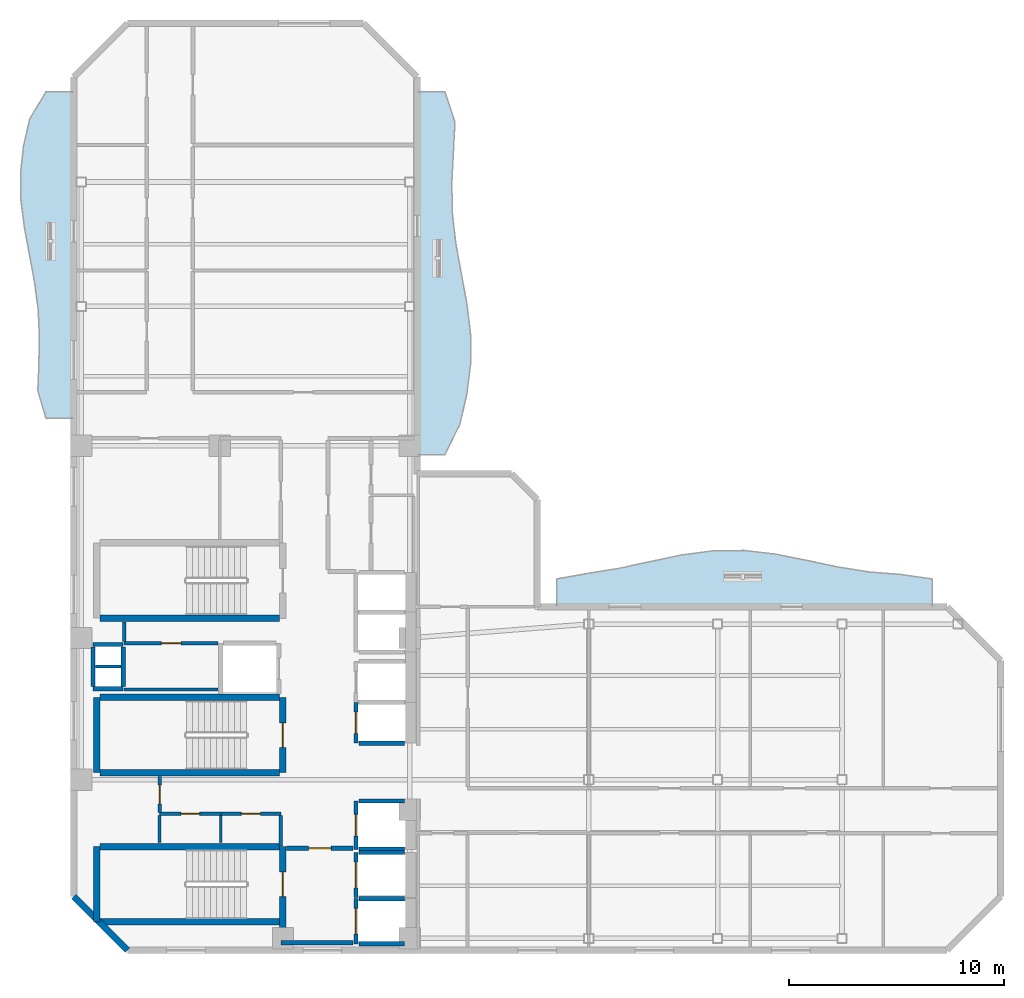
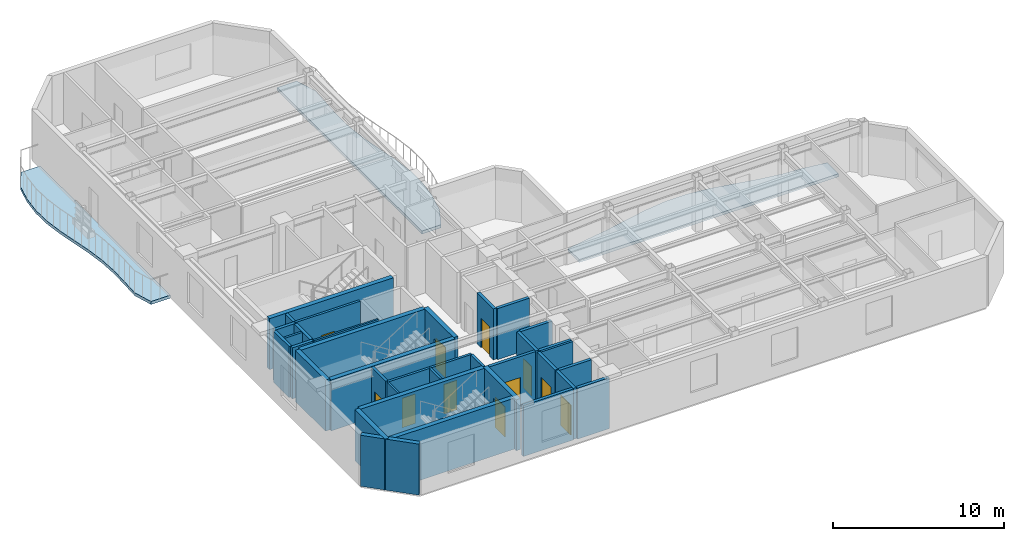
# One storey, part 2 of 9: 36 walls, 11 doors, 3 slabs, 11 openings.
"""IFC4 building model written with IfcOpenShell, lengths in metres."""

import ifcopenshell
import ifcopenshell.guid

model = None  # the IFC model being written
_history = None  # IfcOwnerHistory: only IFC2X3 demands one
_inside = {}  # id of a spatial element -> (the spatial element, [elements in it])
_under = {}  # id of a project, library or spatial element -> (it, [spatial elements below it])
_declared = {}  # id of a project -> (the project, [libraries it declares])
_typed = {}  # id of a type object -> (the type object, [elements of that type])
_made_of = {}  # id of a material, layer set ... -> (it, [elements and type objects made of it])


def new_model(schema):
    """Start an empty IFC model of exactly this schema.

    Asked for "IFC4X3", IfcOpenShell would pick the latest addendum, in which some entities
    have other attributes; the version numbers below select the first issue.
    IFC2X3 requires an IfcOwnerHistory on every rooted entity: one is made here for all.
    """
    global model, _history
    if schema == "IFC4X3":
        model = ifcopenshell.file(schema_version=(4, 3, 0, 0))
    else:
        model = ifcopenshell.file(schema=schema)
    _inside.clear()
    _under.clear()
    _declared.clear()
    _typed.clear()
    _made_of.clear()
    _history = None
    if model.schema == "IFC2X3":
        org = make("IfcOrganization", Name="unknown")
        user = make(
            "IfcPersonAndOrganization",
            ThePerson=make("IfcPerson", FamilyName="unknown"),
            TheOrganization=org,
        )
        app = make(
            "IfcApplication",
            ApplicationDeveloper=org,
            Version="unknown",
            ApplicationFullName="unknown",
            ApplicationIdentifier="unknown",
        )
        _history = make(
            "IfcOwnerHistory",
            OwningUser=user,
            OwningApplication=app,
            ChangeAction="ADDED",
            CreationDate=0,
        )
    return model


def make(cls, **values):
    """One entity of the class cls with the attributes given. An attribute that is None is left unset."""
    return model.create_entity(
        cls, **{name: value for name, value in values.items() if value is not None}
    )


def rooted(cls, **values):
    """An entity with a GlobalId (a new one), such as an element, a storey or a relation."""
    return make(cls, GlobalId=ifcopenshell.guid.new(), OwnerHistory=_history, **values)


def si_unit(unit_type, name, prefix=None):
    """IfcSIUnit, for example si_unit("LENGTHUNIT", "METRE", prefix="MILLI")."""
    return make("IfcSIUnit", UnitType=unit_type, Prefix=prefix, Name=name)


def assignment(units):
    """IfcUnitAssignment: the units of a project."""
    return None if units is None else make("IfcUnitAssignment", Units=units)


def point(xyz):
    """IfcCartesianPoint."""
    return None if xyz is None else make("IfcCartesianPoint", Coordinates=xyz)


def direction(xyz):
    """IfcDirection."""
    return None if xyz is None else make("IfcDirection", DirectionRatios=xyz)


def frame(location, z_axis=None, x_axis=None):
    """IfcAxis2Placement3D, a coordinate frame: its origin and axes. An axis left out is left unset."""
    return make(
        "IfcAxis2Placement3D",
        Location=point(location),
        Axis=direction(z_axis),
        RefDirection=direction(x_axis),
    )


def frame_2d(location, x_axis=None):
    """IfcAxis2Placement2D, a coordinate frame in the plane: its origin and x axis."""
    return make(
        "IfcAxis2Placement2D", Location=point(location), RefDirection=direction(x_axis)
    )


def origin():
    """The frame at (0, 0, 0) with its axes left unset."""
    return frame((0.0, 0.0, 0.0))


def place(relative_to, where):
    """IfcLocalPlacement: puts the frame where relative to a parent placement (None: the world)."""
    return make(
        "IfcLocalPlacement", PlacementRelTo=relative_to, RelativePlacement=where
    )


def context(
    kind, dimensions, precision=None, world=None, true_north=None, identifier=None
):
    """IfcGeometricRepresentationContext, for example the 3D "Model" context."""
    return make(
        "IfcGeometricRepresentationContext",
        ContextIdentifier=identifier,
        ContextType=kind,
        CoordinateSpaceDimension=dimensions,
        Precision=precision,
        WorldCoordinateSystem=world,
        TrueNorth=true_north,
    )


def subcontext(parent, identifier, kind, view, scale=None):
    """IfcGeometricRepresentationSubContext, for example "Body" below "Model"."""
    return make(
        "IfcGeometricRepresentationSubContext",
        ContextIdentifier=identifier,
        ContextType=kind,
        ParentContext=parent,
        TargetScale=scale,
        TargetView=view,
    )


def project(units=None, contexts=None):
    """IfcProject with its units and contexts."""
    return rooted(
        "IfcProject",
        Name="project",
        RepresentationContexts=contexts,
        UnitsInContext=assignment(units),
    )


def spatial(cls, under=None, at=None, **own):
    """A site, building, storey or space (cls), placed at a placement, below another one or the project."""
    s = rooted(cls, ObjectPlacement=at, **own)
    if under is not None:
        _under.setdefault(under.id(), (under, []))[1].append(s)
    return s


def polyline(points):
    """IfcPolyline through the points."""
    return make("IfcPolyline", Points=[point(p) for p in points])


def profile(cls, at=None, kind="AREA", **sizes):
    """A parametric profile (cls). Its sizes go by their IFC names, for example OverallWidth=200.0."""
    return make(cls, ProfileType=kind, Position=at, **sizes)


def rectangle(**sizes):
    """IfcRectangleProfileDef."""
    return profile("IfcRectangleProfileDef", **sizes)


def outline(outer, holes=None, kind="AREA"):
    """IfcArbitraryClosedProfileDef: a profile drawn as a closed curve; with holes, ...WithVoids."""
    if holes is None:
        return make("IfcArbitraryClosedProfileDef", ProfileType=kind, OuterCurve=outer)
    return make(
        "IfcArbitraryProfileDefWithVoids",
        ProfileType=kind,
        OuterCurve=outer,
        InnerCurves=holes,
    )


def extrude(swept, where, along, depth):
    """IfcExtrudedAreaSolid: the profile swept, set in the frame where, extruded along a direction by depth."""
    return make(
        "IfcExtrudedAreaSolid",
        SweptArea=swept,
        Position=where,
        ExtrudedDirection=direction(along),
        Depth=depth,
    )


def shape(context_of_items, identifier, shape_type, items):
    """IfcShapeRepresentation: the items that make up one representation, for example the "Body"."""
    return make(
        "IfcShapeRepresentation",
        ContextOfItems=context_of_items,
        RepresentationIdentifier=identifier,
        RepresentationType=shape_type,
        Items=items,
    )


def material(Name=None, Category=None):
    """IfcMaterial."""
    return make("IfcMaterial", Name=Name, Category=Category)


def layer(
    of_material, thickness, ventilated=None, Name=None, Category=None, Priority=None
):
    """IfcMaterialLayer: one layer of a wall or slab, of a material (None: an air gap)."""
    return make(
        "IfcMaterialLayer",
        Material=of_material,
        LayerThickness=thickness,
        IsVentilated=ventilated,
        Name=Name,
        Category=Category,
        Priority=Priority,
    )


def layer_set(layers, Name=None):
    """IfcMaterialLayerSet."""
    return make("IfcMaterialLayerSet", MaterialLayers=layers, LayerSetName=Name)


def made_of(thing, what):
    """Note that an element or type object is made of a material, layer set ...; save() writes the relation."""
    if what is not None:
        _made_of.setdefault(what.id(), (what, []))[1].append(thing)
    return thing


def type_object(cls, material=None, **own):
    """A type object (cls), such as IfcWallType, which elements share."""
    return made_of(rooted(cls, **own), material)


def element(
    cls,
    number,
    at=None,
    inside=None,
    cuts=None,
    type_object=None,
    material=None,
    context=None,
    identifier="Body",
    shape_type=None,
    held_by="IfcProductDefinitionShape",
    body=None,
    shapes=None,
    **own,
):
    """One element of the class cls, such as IfcWall. Its Tag is "e" and its number.

    at: its placement. inside: the storey or other place that contains it. cuts: it is an
    opening in that element (IfcRelVoidsElement). A single representation is given by context,
    identifier, shape_type and body (its items); several are given by shapes. held_by: the class
    of the entity that holds the representations. save() writes the other relations.
    """
    e = rooted(cls, Tag="e%d" % number, ObjectPlacement=at, **own)
    if body is not None:
        shapes = [shape(context, identifier, shape_type, body)]
    if shapes is not None:
        e.Representation = make(held_by, Representations=shapes)
    if inside is not None:
        _inside.setdefault(inside.id(), (inside, []))[1].append(e)
    if cuts is not None:
        rooted(
            "IfcRelVoidsElement", RelatingBuildingElement=cuts, RelatedOpeningElement=e
        )
    if type_object is not None:
        _typed.setdefault(type_object.id(), (type_object, []))[1].append(e)
    return made_of(e, material)


def fill(opening, filler):
    """IfcRelFillsElement: the door or window that sits in an opening."""
    return rooted(
        "IfcRelFillsElement",
        RelatingOpeningElement=opening,
        RelatedBuildingElement=filler,
    )


def aggregate(whole, parts):
    """IfcRelAggregates: a whole, such as a stair, and the parts it consists of."""
    return rooted("IfcRelAggregates", RelatingObject=whole, RelatedObjects=parts)


def save(model, path):
    """Write the relations noted so far, then the file.

    IfcRelAggregates (storeys below a building ...), IfcRelContainedInSpatialStructure (elements
    in a storey), IfcRelDefinesByType, IfcRelAssociatesMaterial and IfcRelDeclares: one each for
    every whole, place, type object, material and project.
    """
    for whole, parts in _under.values():
        aggregate(whole, parts)
    for where, things in _inside.values():
        rooted(
            "IfcRelContainedInSpatialStructure",
            RelatedElements=things,
            RelatingStructure=where,
        )
    for kind, things in _typed.values():
        rooted("IfcRelDefinesByType", RelatedObjects=things, RelatingType=kind)
    for what, things in _made_of.values():
        rooted("IfcRelAssociatesMaterial", RelatedObjects=things, RelatingMaterial=what)
    for by, libraries in _declared.values():
        rooted("IfcRelDeclares", RelatingContext=by, RelatedDefinitions=libraries)
    model.write(path)


model = new_model("IFC4")

# Units and contexts
model_context = context("Model", 3, precision=1e-05, world=origin(), true_north=direction((0.0, 1.0)))
body_context = subcontext(model_context, "Body", "Model", "MODEL_VIEW")
ifc_project = project(units=[si_unit("LENGTHUNIT", "METRE"), si_unit("AREAUNIT", "SQUARE_METRE"), si_unit("VOLUMEUNIT", "CUBIC_METRE"), si_unit("PLANEANGLEUNIT", "RADIAN"), si_unit("MASSUNIT", "GRAM", prefix="KILO")], contexts=[model_context])

# Site, building, storey
site_placement = place(None, origin())
site = spatial("IfcSite", under=ifc_project, at=site_placement, CompositionType="ELEMENT")
building_placement = place(site_placement, origin())
building = spatial("IfcBuilding", under=site, at=building_placement, Name="Mawjaban Terraces University", CompositionType="ELEMENT")
storey_placement = place(building_placement, frame((0.0, 0.0, 234.300048828125)))
storey = spatial("IfcBuildingStorey", under=building, at=storey_placement, Name="L57", CompositionType="ELEMENT", Elevation=234.300048828125)

# Slabs
ifc_material_1 = material(Name="Concrete C40/50", Category="concrete")
ifc_layer_1 = layer(ifc_material_1, 0.2099609375)
ifc_layer_set_1 = layer_set([ifc_layer_1], Name="Concrete C40/50")
slab_type = type_object("IfcSlabType", Name="BalconySlab_210_Ext", PredefinedType="FLOOR", material=ifc_layer_set_1)
slab_1_placement = place(storey_placement, frame((0.0, 0.0, -0.2099609375)))
element("IfcSlab", 1, at=slab_1_placement, inside=storey, type_object=slab_type, Name="L57 Planted Balcony Slab west", PredefinedType="FLOOR", context=body_context, shape_type="SweptSolid", body=[
    extrude(outline(polyline([(22.010009765625, 24.800048828125), (22.010009765625, 40.0), (20.699951171875, 40.0), (19.945068359375, 38.73291015625), (19.654052734375, 37.467041015625), (19.51708984375, 36.199951171875), (19.5400390625, 34.93310546875), (19.698974609375, 33.6669921875), (19.93505859375, 32.39990234375), (20.1708984375, 31.133056640625), (20.3369140625, 29.866943359375), (20.39990234375, 28.60009765625), (20.37109375, 27.3330078125), (20.324951171875, 26.06689453125), (20.699951171875, 24.800048828125), (22.010009765625, 24.800048828125)])), origin(), (0.0, 0.0, 1.0), 0.2099609375),
])
slab_2_placement = place(storey_placement, frame((0.0, 0.0, -0.2099609375)))
element("IfcSlab", 2, at=slab_2_placement, inside=storey, type_object=slab_type, Name="L57 Planted Balcony Slab inner_north", PredefinedType="FLOOR", context=body_context, shape_type="SweptSolid", body=[
    extrude(outline(polyline([(44.5, 15.989990234375), (62.0, 15.989990234375), (62.0, 17.300048828125), (60.5419921875, 17.510009765625), (59.0830078125, 17.625), (57.625, 17.85595703125), (56.1669921875, 18.1650390625), (54.7080078125, 18.45703125), (53.25, 18.6279296875), (51.7919921875, 18.614013671875), (50.3330078125, 18.419921875), (48.875, 18.113037109375), (47.4169921875, 17.798095703125), (45.9580078125, 17.56103515625), (44.5, 17.300048828125), (44.5, 15.989990234375)])), origin(), (0.0, 0.0, 1.0), 0.2099609375),
])
slab_3_placement = place(storey_placement, frame((0.0, 0.0, -0.2099609375)))
element("IfcSlab", 3, at=slab_3_placement, inside=storey, type_object=slab_type, Name="L57 Planted Balcony Slab inner_east", PredefinedType="FLOOR", context=body_context, shape_type="SweptSolid", body=[
    extrude(outline(polyline([(39.300048828125, 23.10009765625), (39.990966796875, 24.508056640625), (40.31689453125, 25.9169921875), (40.493896484375, 27.324951171875), (40.488037109375, 28.73291015625), (40.31689453125, 30.14208984375), (40.054931640625, 31.550048828125), (39.800048828125, 32.9580078125), (39.64111328125, 34.366943359375), (39.614990234375, 35.77490234375), (39.68994140625, 37.18310546875), (39.762939453125, 38.592041015625), (39.300048828125, 40.0), (37.989990234375, 40.0), (37.989990234375, 23.10009765625), (39.300048828125, 23.10009765625)])), origin(), (0.0, 0.0, 1.0), 0.2099609375),
])

# Wall, opening, door
ifc_material_2 = material(Name="Fire-rated gypsum board on steel stud", Category="steel")
ifc_layer_2 = layer(ifc_material_2, 0.159912109375)
ifc_layer_set_2 = layer_set([ifc_layer_2], Name="Fire-rated gypsum board on steel stud")
wall_type_1 = type_object("IfcWallType", Name="CorridorPartition_160", PredefinedType="PARTITIONING", material=ifc_layer_set_2)
wall_1_placement = place(storey_placement, frame((24.35009765625, 14.300048828125, 0.0), z_axis=(0.0, 0.0, 1.0), x_axis=(1.0, 0.0, 0.0)))
wall_1 = element("IfcWall", 4, at=wall_1_placement, inside=storey, type_object=wall_type_1, Name="L57 Core Riser Access Passage Partition 2", PredefinedType="PARTITIONING", context=body_context, shape_type="SweptSolid", body=[
    extrude(rectangle(XDim=4.369873046875, YDim=0.159912109375, at=frame_2d((2.18505859375, 0.0))), origin(), (0.0, 0.0, 1.0), 3.639892578125),
])
opening_1_placement = place(wall_1_placement, frame((1.735107421875, 0.0, 0.0)))
opening_1 = element("IfcOpeningElement", 5, at=opening_1_placement, cuts=wall_1, Name="Opening ID-090", PredefinedType="OPENING", context=body_context, shape_type="SweptSolid", body=[
    extrude(rectangle(XDim=0.89990234375, YDim=2.10009765625, at=frame_2d((0.449951171875, 1.050048828125))), frame((0.0, 0.08984375, 0.0), z_axis=(0.0, -1.0, 0.0), x_axis=(1.0, 0.0, 0.0)), (0.0, 0.0, 1.0), 0.179931640625),
])
ifc_material_3 = material(Name="Powder-coated steel frame and solid acoustic timber leaf", Category="steel")
door_type_1 = type_object("IfcDoorType", Name="OfficeDoor_900x2100", OperationType="NOTDEFINED", PredefinedType="DOOR", material=ifc_material_3)
door_1_placement = place(opening_1_placement, origin())
door_1 = element("IfcDoor", 6, at=door_1_placement, inside=storey, type_object=door_type_1, Name="L57 Cleaner Store Door", OperationType="SINGLE_SWING_LEFT", OverallHeight=2.10009765625, OverallWidth=0.89990234375, PredefinedType="DOOR", context=body_context, shape_type="SweptSolid", body=[
    extrude(rectangle(XDim=0.89990234375, YDim=2.10009765625, at=frame_2d((0.449951171875, 1.050048828125))), frame((0.0, 0.02490234375, 0.0), z_axis=(0.0, -1.0, 0.0), x_axis=(1.0, 0.0, 0.0)), (0.0, 0.0, 1.0), 0.050048828125),
])
fill(opening_1, door_1)

wall_2_placement = place(storey_placement, frame((26.0, 6.35009765625, 0.0), z_axis=(0.0, 0.0, 1.0), x_axis=(1.0, 0.0, 0.0)))
wall_2 = element("IfcWall", 7, at=wall_2_placement, inside=storey, type_object=wall_type_1, Name="L57 Core Washroom Lobby Partition 6", PredefinedType="PARTITIONING", context=body_context, shape_type="SweptSolid", body=[
    extrude(rectangle(XDim=2.85009765625, YDim=0.159912109375, at=frame_2d((1.425048828125, 0.0))), origin(), (0.0, 0.0, 1.0), 3.639892578125),
])
opening_2_placement = place(wall_2_placement, frame((0.985107421875, 0.0, 0.0)))
opening_2 = element("IfcOpeningElement", 8, at=opening_2_placement, cuts=wall_2, Name="Opening ID-088", PredefinedType="OPENING", context=body_context, shape_type="SweptSolid", body=[
    extrude(rectangle(XDim=0.8798828125, YDim=2.10009765625, at=frame_2d((0.43994140625, 1.050048828125))), frame((0.0, 0.08984375, 0.0), z_axis=(0.0, -1.0, 0.0), x_axis=(1.0, 0.0, 0.0)), (0.0, 0.0, 1.0), 0.179931640625),
])
door_type_2 = type_object("IfcDoorType", Name="ToiletDoor_880x2100", OperationType="NOTDEFINED", PredefinedType="DOOR", material=ifc_material_3)
door_2_placement = place(opening_2_placement, origin())
door_2 = element("IfcDoor", 9, at=door_2_placement, inside=storey, type_object=door_type_2, Name="L57 Male Toilet Door", OperationType="SINGLE_SWING_LEFT", OverallHeight=2.10009765625, OverallWidth=0.8798828125, PredefinedType="DOOR", context=body_context, shape_type="SweptSolid", body=[
    extrude(rectangle(XDim=0.8798828125, YDim=2.10009765625, at=frame_2d((0.43994140625, 1.050048828125))), frame((0.0, 0.02490234375, 0.0), z_axis=(0.0, -1.0, 0.0), x_axis=(1.0, 0.0, 0.0)), (0.0, 0.0, 1.0), 0.050048828125),
])
fill(opening_2, door_2)

wall_3_placement = place(storey_placement, frame((28.85009765625, 6.35009765625, 0.0), z_axis=(0.0, 0.0, 1.0), x_axis=(1.0, 0.0, 0.0)))
wall_3 = element("IfcWall", 10, at=wall_3_placement, inside=storey, type_object=wall_type_1, Name="L57 Core Washroom Lobby Partition 8", PredefinedType="PARTITIONING", context=body_context, shape_type="SweptSolid", body=[
    extrude(rectangle(XDim=2.7998046875, YDim=0.159912109375, at=frame_2d((1.39990234375, 0.0))), origin(), (0.0, 0.0, 1.0), 3.639892578125),
])
opening_3_placement = place(wall_3_placement, frame((0.9599609375, 0.0, 0.0)))
opening_3 = element("IfcOpeningElement", 11, at=opening_3_placement, cuts=wall_3, Name="Opening ID-088", PredefinedType="OPENING", context=body_context, shape_type="SweptSolid", body=[
    extrude(rectangle(XDim=0.8798828125, YDim=2.10009765625, at=frame_2d((0.43994140625, 1.050048828125))), frame((0.0, 0.08984375, 0.0), z_axis=(0.0, -1.0, 0.0), x_axis=(1.0, 0.0, 0.0)), (0.0, 0.0, 1.0), 0.179931640625),
])
door_3_placement = place(opening_3_placement, origin())
door_3 = element("IfcDoor", 12, at=door_3_placement, inside=storey, type_object=door_type_2, Name="L57 Accessible Toilet Door", OperationType="SINGLE_SWING_RIGHT", OverallHeight=2.10009765625, OverallWidth=0.8798828125, PredefinedType="DOOR", context=body_context, shape_type="SweptSolid", body=[
    extrude(rectangle(XDim=0.8798828125, YDim=2.10009765625, at=frame_2d((0.43994140625, 1.050048828125))), frame((0.0, 0.02490234375, 0.0), z_axis=(0.0, -1.0, 0.0), x_axis=(1.0, 0.0, 0.0)), (0.0, 0.0, 1.0), 0.050048828125),
])
fill(opening_3, door_3)

# Wall
wall_4_placement = place(storey_placement, frame((24.35009765625, 15.2900390625, 0.0), z_axis=(0.0, 0.0, 1.0), x_axis=(0.0, -1.0, 0.0)))
element("IfcWall", 13, at=wall_4_placement, inside=storey, type_object=wall_type_1, Name="L57 Core Riser Access Passage Partition 30", PredefinedType="PARTITIONING", context=body_context, shape_type="SweptSolid", body=[
    extrude(rectangle(XDim=0.9150390625, YDim=0.159912109375, at=frame_2d((0.45751953125, 0.0))), origin(), (0.0, 0.0, 1.0), 3.639892578125),
])

# Wall, opening, door
wall_5_placement = place(storey_placement, frame((26.0, 8.090087890625, 0.0), z_axis=(0.0, 0.0, 1.0), x_axis=(0.0, -1.0, 0.0)))
wall_5 = element("IfcWall", 14, at=wall_5_placement, inside=storey, type_object=wall_type_1, Name="L57 Core Washroom Lobby Partition 35", PredefinedType="PARTITIONING", context=body_context, shape_type="SweptSolid", body=[
    extrude(rectangle(XDim=1.6650390625, YDim=0.159912109375, at=frame_2d((0.83251953125, 0.0))), origin(), (0.0, 0.0, 1.0), 3.639892578125),
])
opening_4_placement = place(wall_5_placement, frame((0.39306640625, 0.0, 0.0)))
opening_4 = element("IfcOpeningElement", 15, at=opening_4_placement, cuts=wall_5, Name="Opening ID-088", PredefinedType="OPENING", context=body_context, shape_type="SweptSolid", body=[
    extrude(rectangle(XDim=0.8798828125, YDim=2.10009765625, at=frame_2d((0.43994140625, 1.050048828125))), frame((0.0, 0.08984375, 0.0), z_axis=(0.0, -1.0, 0.0), x_axis=(1.0, 0.0, 0.0)), (0.0, 0.0, 1.0), 0.179931640625),
])
door_4_placement = place(opening_4_placement, origin())
door_4 = element("IfcDoor", 16, at=door_4_placement, inside=storey, type_object=door_type_2, Name="L57 Ablution Room Door", OperationType="SINGLE_SWING_RIGHT", OverallHeight=2.10009765625, OverallWidth=0.8798828125, PredefinedType="DOOR", context=body_context, shape_type="SweptSolid", body=[
    extrude(rectangle(XDim=0.8798828125, YDim=2.10009765625, at=frame_2d((0.43994140625, 1.050048828125))), frame((0.0, 0.02490234375, 0.0), z_axis=(0.0, -1.0, 0.0), x_axis=(1.0, 0.0, 0.0)), (0.0, 0.0, 1.0), 0.050048828125),
])
fill(opening_4, door_4)

# Walls
wall_6_placement = place(storey_placement, frame((31.64990234375, 4.860107421875, 0.0), z_axis=(0.0, 0.0, 1.0), x_axis=(0.0, 1.0, 0.0)))
element("IfcWall", 17, at=wall_6_placement, inside=storey, type_object=wall_type_1, Name="L57 Accessible Toilet Partition 41", PredefinedType="PARTITIONING", context=body_context, shape_type="SweptSolid", body=[
    extrude(rectangle(XDim=1.414794921875, YDim=0.159912109375, at=frame_2d((0.70751953125, 0.0))), origin(), (0.0, 0.0, 1.0), 3.639892578125),
])
ifc_material_4 = material(Name="Insulated terracotta rainscreen on concrete backup C40/50", Category="masonry")
ifc_layer_3 = layer(ifc_material_4, 0.300048828125)
ifc_layer_set_3 = layer_set([ifc_layer_3], Name="Insulated terracotta rainscreen on concrete backup C40/50")
wall_type_2 = type_object("IfcWallType", Name="ExtTerracottaWall_300", PredefinedType="SOLIDWALL", material=ifc_layer_set_3)
wall_7_placement = place(storey_placement, frame((22.0, 2.5, 0.0), z_axis=(0.0, 0.0, 1.0), x_axis=(0.707106781187, -0.707106781187, 0.0)))
element("IfcWall", 18, at=wall_7_placement, inside=storey, type_object=wall_type_2, Name="L57 Exterior Terracotta Wall 14", PredefinedType="SOLIDWALL", context=body_context, shape_type="SweptSolid", body=[
    extrude(rectangle(XDim=3.53564453125, YDim=0.300048828125, at=frame_2d((1.767822265625, 0.0))), origin(), (0.0, 0.0, 1.0), 3.639892578125),
])

# Wall, opening, door
ifc_layer_4 = layer(ifc_material_1, 0.199951171875)
ifc_layer_set_4 = layer_set([ifc_layer_4], Name="Concrete C40/50")
wall_type_3 = type_object("IfcWallType", Name="FireLobbyWall_200", PredefinedType="SOLIDWALL", material=ifc_layer_set_4)
wall_8_placement = place(storey_placement, frame((35.14990234375, 2.39990234375, 0.0), z_axis=(0.0, 0.0, 1.0), x_axis=(0.0, -1.0, 0.0)))
wall_8 = element("IfcWall", 19, at=wall_8_placement, inside=storey, type_object=wall_type_3, Name="L57 Lift FL-1 Hoistway Wall West", PredefinedType="SOLIDWALL", context=body_context, shape_type="SweptSolid", body=[
    extrude(rectangle(XDim=2.099853515625, YDim=0.199951171875, at=frame_2d((1.0498046875, 0.0))), origin(), (0.0, 0.0, 1.0), 3.639892578125),
])
opening_5_placement = place(wall_8_placement, frame((0.449951171875, 0.0, 0.0)))
opening_5 = element("IfcOpeningElement", 20, at=opening_5_placement, cuts=wall_8, Name="Opening LD-FL-1", PredefinedType="OPENING", context=body_context, shape_type="SweptSolid", body=[
    extrude(rectangle(XDim=1.199951171875, YDim=2.14990234375, at=frame_2d((0.60009765625, 1.074951171875))), frame((0.0, 0.10986328125, 0.0), z_axis=(0.0, -1.0, 0.0), x_axis=(1.0, 0.0, 0.0)), (0.0, 0.0, 1.0), 0.219970703125),
])
ifc_material_5 = material(Name="Powder-coated steel frame and fire-rated steel-faced leaf", Category="steel")
door_type_3 = type_object("IfcDoorType", Name="LiftLandingFSAE_1200x2150", OperationType="NOTDEFINED", PredefinedType="DOOR", material=ifc_material_5)
door_5_placement = place(opening_5_placement, origin())
door_5 = element("IfcDoor", 21, at=door_5_placement, inside=storey, type_object=door_type_3, Name="L57 Lift FL-1 Sliding Landing Door", OperationType="DOUBLE_DOOR_SLIDING", OverallHeight=2.14990234375, OverallWidth=1.199951171875, PredefinedType="DOOR", context=body_context, shape_type="SweptSolid", body=[
    extrude(rectangle(XDim=1.199951171875, YDim=2.14990234375, at=frame_2d((0.60009765625, 1.074951171875))), frame((0.0, 0.02490234375, 0.0), z_axis=(0.0, -1.0, 0.0), x_axis=(1.0, 0.0, 0.0)), (0.0, 0.0, 1.0), 0.050048828125),
])
fill(opening_5, door_5)

# Walls
for number, where, z_axis, x_axis, name in (
    (22, (35.280029296875, 0.300048828125, 0.0), (0.0, 0.0, 1.0), (1.0, 0.0, 0.0), "L57 Lift FL-1 Hoistway Wall South"),
    (23, (37.419921875, 2.39990234375, 0.0), (0.0, 0.0, 1.0), (-1.0, 0.0, 0.0), "L57 Lift FL-1 Hoistway Wall North"),
):
    element("IfcWall", number, at=place(storey_placement, frame(where, z_axis=z_axis, x_axis=x_axis)), inside=storey, type_object=wall_type_3, Name=name, PredefinedType="SOLIDWALL", context=body_context, shape_type="SweptSolid", body=[
        extrude(rectangle(XDim=2.139892578125, YDim=0.199951171875, at=frame_2d((1.06982421875, 0.0))), origin(), (0.0, 0.0, 1.0), 3.639892578125),
    ])

# Wall, opening, door
wall_9_placement = place(storey_placement, frame((35.14990234375, 4.550048828125, 0.0), z_axis=(0.0, 0.0, 1.0), x_axis=(0.0, -1.0, 0.0)))
wall_9 = element("IfcWall", 24, at=wall_9_placement, inside=storey, type_object=wall_type_3, Name="L57 Lift FL-2 Hoistway Wall West", PredefinedType="SOLIDWALL", context=body_context, shape_type="SweptSolid", body=[
    extrude(rectangle(XDim=2.10009765625, YDim=0.199951171875, at=frame_2d((1.050048828125, 0.0))), origin(), (0.0, 0.0, 1.0), 3.639892578125),
])
opening_6_placement = place(wall_9_placement, frame((0.449951171875, 0.0, 0.0)))
opening_6 = element("IfcOpeningElement", 25, at=opening_6_placement, cuts=wall_9, Name="Opening LD-FL-2", PredefinedType="OPENING", context=body_context, shape_type="SweptSolid", body=[
    extrude(rectangle(XDim=1.199951171875, YDim=2.14990234375, at=frame_2d((0.60009765625, 1.074951171875))), frame((0.0, 0.10986328125, 0.0), z_axis=(0.0, -1.0, 0.0), x_axis=(1.0, 0.0, 0.0)), (0.0, 0.0, 1.0), 0.219970703125),
])
door_6_placement = place(opening_6_placement, origin())
door_6 = element("IfcDoor", 26, at=door_6_placement, inside=storey, type_object=door_type_3, Name="L57 Lift FL-2 Sliding Landing Door", OperationType="DOUBLE_DOOR_SLIDING", OverallHeight=2.14990234375, OverallWidth=1.199951171875, PredefinedType="DOOR", context=body_context, shape_type="SweptSolid", body=[
    extrude(rectangle(XDim=1.199951171875, YDim=2.14990234375, at=frame_2d((0.60009765625, 1.074951171875))), frame((0.0, 0.02490234375, 0.0), z_axis=(0.0, -1.0, 0.0), x_axis=(1.0, 0.0, 0.0)), (0.0, 0.0, 1.0), 0.050048828125),
])
fill(opening_6, door_6)

# Wall
wall_10_placement = place(storey_placement, frame((37.419921875, 4.550048828125, 0.0), z_axis=(0.0, 0.0, 1.0), x_axis=(-1.0, 0.0, 0.0)))
element("IfcWall", 27, at=wall_10_placement, inside=storey, type_object=wall_type_3, Name="L57 Lift FL-2 Hoistway Wall North", PredefinedType="SOLIDWALL", context=body_context, shape_type="SweptSolid", body=[
    extrude(rectangle(XDim=2.139892578125, YDim=0.199951171875, at=frame_2d((1.06982421875, 0.0))), origin(), (0.0, 0.0, 1.0), 3.639892578125),
])

# Wall, opening, door
wall_11_placement = place(storey_placement, frame((35.14990234375, 6.949951171875, 0.0), z_axis=(0.0, 0.0, 1.0), x_axis=(0.0, -1.0, 0.0)))
wall_11 = element("IfcWall", 28, at=wall_11_placement, inside=storey, type_object=wall_type_3, Name="L57 Lift SL-1 Hoistway Wall West", PredefinedType="SOLIDWALL", context=body_context, shape_type="SweptSolid", body=[
    extrude(rectangle(XDim=2.25, YDim=0.199951171875, at=frame_2d((1.125, 0.0))), origin(), (0.0, 0.0, 1.0), 3.639892578125),
])
opening_7_placement = place(wall_11_placement, frame((0.625, 0.0, 0.0)))
opening_7 = element("IfcOpeningElement", 29, at=opening_7_placement, cuts=wall_11, Name="Opening LD-SL-1", PredefinedType="OPENING", context=body_context, shape_type="SweptSolid", body=[
    extrude(rectangle(XDim=1.0, YDim=2.10009765625, at=frame_2d((0.5, 1.050048828125))), frame((0.0, 0.10986328125, 0.0), z_axis=(0.0, -1.0, 0.0), x_axis=(1.0, 0.0, 0.0)), (0.0, 0.0, 1.0), 0.219970703125),
])
door_type_4 = type_object("IfcDoorType", Name="LiftLandingSliding_1000x2100", OperationType="NOTDEFINED", PredefinedType="DOOR", material=ifc_material_5)
door_7_placement = place(opening_7_placement, origin())
door_7 = element("IfcDoor", 30, at=door_7_placement, inside=storey, type_object=door_type_4, Name="L57 Lift SL-1 Sliding Landing Door", OperationType="DOUBLE_DOOR_SLIDING", OverallHeight=2.10009765625, OverallWidth=1.0, PredefinedType="DOOR", context=body_context, shape_type="SweptSolid", body=[
    extrude(rectangle(XDim=1.0, YDim=2.10009765625, at=frame_2d((0.5, 1.050048828125))), frame((0.0, 0.02490234375, 0.0), z_axis=(0.0, -1.0, 0.0), x_axis=(1.0, 0.0, 0.0)), (0.0, 0.0, 1.0), 0.050048828125),
])
fill(opening_7, door_7)

# Walls
for number, where, z_axis, x_axis, name in (
    (31, (35.280029296875, 4.699951171875, 0.0), (0.0, 0.0, 1.0), (1.0, 0.0, 0.0), "L57 Lift SL-1 Hoistway Wall South"),
    (32, (37.419921875, 6.949951171875, 0.0), (0.0, 0.0, 1.0), (-1.0, 0.0, 0.0), "L57 Lift SL-1 Hoistway Wall North"),
):
    element("IfcWall", number, at=place(storey_placement, frame(where, z_axis=z_axis, x_axis=x_axis)), inside=storey, type_object=wall_type_3, Name=name, PredefinedType="SOLIDWALL", context=body_context, shape_type="SweptSolid", body=[
        extrude(rectangle(XDim=2.139892578125, YDim=0.199951171875, at=frame_2d((1.06982421875, 0.0))), origin(), (0.0, 0.0, 1.0), 3.639892578125),
    ])

# Wall, opening, door
wall_12_placement = place(storey_placement, frame((35.14990234375, 11.550048828125, 0.0), z_axis=(0.0, 0.0, 1.0), x_axis=(0.0, -1.0, 0.0)))
wall_12 = element("IfcWall", 33, at=wall_12_placement, inside=storey, type_object=wall_type_3, Name="L57 Lift PL-H1 Hoistway Wall West", PredefinedType="SOLIDWALL", context=body_context, shape_type="SweptSolid", body=[
    extrude(rectangle(XDim=1.900146484375, YDim=0.199951171875, at=frame_2d((0.9501953125, 0.0))), origin(), (0.0, 0.0, 1.0), 3.639892578125),
])
opening_8_placement = place(wall_12_placement, frame((0.449951171875, 0.0, 0.0)))
opening_8 = element("IfcOpeningElement", 34, at=opening_8_placement, cuts=wall_12, Name="Opening LD-PL-H1", PredefinedType="OPENING", context=body_context, shape_type="SweptSolid", body=[
    extrude(rectangle(XDim=1.0, YDim=2.10009765625, at=frame_2d((0.5, 1.050048828125))), frame((0.0, 0.10986328125, 0.0), z_axis=(0.0, -1.0, 0.0), x_axis=(1.0, 0.0, 0.0)), (0.0, 0.0, 1.0), 0.219970703125),
])
door_8_placement = place(opening_8_placement, origin())
door_8 = element("IfcDoor", 35, at=door_8_placement, inside=storey, type_object=door_type_4, Name="L57 Lift PL-H1 Sliding Landing Door", OperationType="DOUBLE_DOOR_SLIDING", OverallHeight=2.10009765625, OverallWidth=1.0, PredefinedType="DOOR", context=body_context, shape_type="SweptSolid", body=[
    extrude(rectangle(XDim=1.0, YDim=2.10009765625, at=frame_2d((0.5, 1.050048828125))), frame((0.0, 0.02490234375, 0.0), z_axis=(0.0, -1.0, 0.0), x_axis=(1.0, 0.0, 0.0)), (0.0, 0.0, 1.0), 0.050048828125),
])
fill(opening_8, door_8)

# Walls
wall_13_placement = place(storey_placement, frame((35.280029296875, 9.64990234375, 0.0), z_axis=(0.0, 0.0, 1.0), x_axis=(1.0, 0.0, 0.0)))
element("IfcWall", 36, at=wall_13_placement, inside=storey, type_object=wall_type_3, Name="L57 Lift PL-H1 Hoistway Wall South", PredefinedType="SOLIDWALL", context=body_context, shape_type="SweptSolid", body=[
    extrude(rectangle(XDim=2.139892578125, YDim=0.199951171875, at=frame_2d((1.06982421875, 0.0))), origin(), (0.0, 0.0, 1.0), 3.639892578125),
])
for number, where, z_axis, x_axis, name in (
    (37, (22.89990234375, 14.25, 0.0), (0.0, 0.0, 1.0), (1.0, 0.0, 0.0), "L57 MEP Riser Shaft Wall N"),
    (38, (22.89990234375, 12.179931640625, 0.0), (0.0, 0.0, 1.0), (1.0, 0.0, 0.0), "L57 MEP Riser Shaft Wall S"),
):
    element("IfcWall", number, at=place(storey_placement, frame(where, z_axis=z_axis, x_axis=x_axis)), inside=storey, type_object=wall_type_3, Name=name, PredefinedType="SOLIDWALL", context=body_context, shape_type="SweptSolid", body=[
        extrude(rectangle(XDim=1.400146484375, YDim=0.199951171875, at=frame_2d((0.7001953125, 0.0))), origin(), (0.0, 0.0, 1.0), 3.639892578125),
    ])
for number, where, z_axis, x_axis, name in (
    (39, (24.300048828125, 12.300048828125, 0.0), (0.0, 0.0, 1.0), (0.0, 1.0, 0.0), "L57 MEP Riser Shaft Wall E"),
    (40, (22.89990234375, 12.300048828125, 0.0), (0.0, 0.0, 1.0), (0.0, 1.0, 0.0), "L57 MEP Riser Shaft Wall W"),
):
    element("IfcWall", number, at=place(storey_placement, frame(where, z_axis=z_axis, x_axis=x_axis)), inside=storey, type_object=wall_type_3, Name=name, PredefinedType="SOLIDWALL", context=body_context, shape_type="SweptSolid", body=[
        extrude(rectangle(XDim=1.829833984375, YDim=0.199951171875, at=frame_2d((0.9150390625, 0.0))), origin(), (0.0, 0.0, 1.0), 3.639892578125),
    ])
wall_14_placement = place(storey_placement, frame((31.64990234375, 0.35009765625, 0.0), z_axis=(0.0, 0.0, 1.0), x_axis=(1.0, 0.0, 0.0)))
element("IfcWall", 41, at=wall_14_placement, inside=storey, type_object=wall_type_3, Name="L57 Firefighting Lift Lobby Partition 9", PredefinedType="SOLIDWALL", context=body_context, shape_type="SweptSolid", body=[
    extrude(rectangle(XDim=3.3701171875, YDim=0.199951171875, at=frame_2d((1.68505859375, 0.0))), origin(), (0.0, 0.0, 1.0), 3.639892578125),
])

# Wall, opening, door
wall_15_placement = place(storey_placement, frame((35.02001953125, 4.75, 0.0), z_axis=(0.0, 0.0, 1.0), x_axis=(-1.0, 0.0, 0.0)))
wall_15 = element("IfcWall", 42, at=wall_15_placement, inside=storey, type_object=wall_type_3, Name="L57 Firefighting Lift Lobby Partition 12", PredefinedType="SOLIDWALL", context=body_context, shape_type="SweptSolid", body=[
    extrude(rectangle(XDim=3.110107421875, YDim=0.199951171875, at=frame_2d((1.55517578125, 0.0))), origin(), (0.0, 0.0, 1.0), 3.639892578125),
])
opening_9_placement = place(wall_15_placement, frame((1.030029296875, 0.0, 0.0)))
opening_9 = element("IfcOpeningElement", 43, at=opening_9_placement, cuts=wall_15, Name="Opening FD-105", PredefinedType="OPENING", context=body_context, shape_type="SweptSolid", body=[
    extrude(rectangle(XDim=1.050048828125, YDim=2.14990234375, at=frame_2d((0.52490234375, 1.074951171875))), frame((0.0, 0.10986328125, 0.0), z_axis=(0.0, -1.0, 0.0), x_axis=(1.0, 0.0, 0.0)), (0.0, 0.0, 1.0), 0.219970703125),
])
door_type_5 = type_object("IfcDoorType", Name="FireLobbyDoor_1050x2150", OperationType="NOTDEFINED", PredefinedType="DOOR", material=ifc_material_5)
door_9_placement = place(opening_9_placement, origin())
door_9 = element("IfcDoor", 44, at=door_9_placement, inside=storey, type_object=door_type_5, Name="L57 Firefighting Lift Lobby Door", OperationType="SINGLE_SWING_LEFT", OverallHeight=2.14990234375, OverallWidth=1.050048828125, PredefinedType="DOOR", context=body_context, shape_type="SweptSolid", body=[
    extrude(rectangle(XDim=1.050048828125, YDim=2.14990234375, at=frame_2d((0.52490234375, 1.074951171875))), frame((0.0, 0.02490234375, 0.0), z_axis=(0.0, -1.0, 0.0), x_axis=(1.0, 0.0, 0.0)), (0.0, 0.0, 1.0), 0.050048828125),
])
fill(opening_9, door_9)

# Walls
ifc_material_6 = material(Name="Moisture-resistant gypsum board on steel stud", Category="steel")
ifc_layer_5 = layer(ifc_material_6, 0.14501953125)
ifc_layer_set_5 = layer_set([ifc_layer_5], Name="Moisture-resistant gypsum board on steel stud")
wall_type_4 = type_object("IfcWallType", Name="LabPartition_145", PredefinedType="PARTITIONING", material=ifc_layer_set_5)
wall_16_placement = place(storey_placement, frame((23.010009765625, 13.22509765625, 0.0), z_axis=(0.0, 0.0, 1.0), x_axis=(1.0, 0.0, 0.0)))
element("IfcWall", 45, at=wall_16_placement, inside=storey, type_object=wall_type_4, Name="L57 MEP Riser Shaft Wall M", PredefinedType="PARTITIONING", context=body_context, shape_type="SweptSolid", body=[
    extrude(rectangle(XDim=1.179931640625, YDim=0.14501953125, at=frame_2d((0.58984375, 0.0))), origin(), (0.0, 0.0, 1.0), 3.639892578125),
])
ifc_material_7 = material(Name="Gypsum plasterboard on steel stud", Category="steel")
ifc_layer_6 = layer(ifc_material_7, 0.125)
ifc_layer_set_6 = layer_set([ifc_layer_6], Name="Gypsum plasterboard on steel stud")
wall_type_5 = type_object("IfcWallType", Name="OfficePartition_125", PredefinedType="PARTITIONING", material=ifc_layer_set_6)
wall_17_placement = place(storey_placement, frame((24.35009765625, 12.14990234375, 0.0), z_axis=(0.0, 0.0, 1.0), x_axis=(1.0, 0.0, 0.0)))
element("IfcWall", 46, at=wall_17_placement, inside=storey, type_object=wall_type_5, Name="L57 Cleaner Store Partition 1", PredefinedType="PARTITIONING", context=body_context, shape_type="SweptSolid", body=[
    extrude(rectangle(XDim=4.369873046875, YDim=0.125, at=frame_2d((2.18505859375, 0.0))), origin(), (0.0, 0.0, 1.0), 3.639892578125),
])
ifc_material_8 = material(Name="Concrete C60/75", Category="concrete")
ifc_layer_7 = layer(ifc_material_8, 0.300048828125)
ifc_layer_set_7 = layer_set([ifc_layer_7], Name="Concrete C60/75")
wall_type_6 = type_object("IfcWallType", Name="StairShaftWall_300", PredefinedType="SHEAR", material=ifc_layer_set_7)
wall_18_placement = place(storey_placement, frame((31.580078125, 4.830078125, 0.0), z_axis=(0.0, 0.0, 1.0), x_axis=(-1.0, 0.0, 0.0)))
element("IfcWall", 47, at=wall_18_placement, inside=storey, type_object=wall_type_6, Name="L57 ST-1 Stair Shaft Wall 1", PredefinedType="SHEAR", context=body_context, shape_type="SweptSolid", body=[
    extrude(rectangle(XDim=8.360107421875, YDim=0.300048828125, at=frame_2d((4.18017578125, 0.0))), origin(), (0.0, 0.0, 1.0), 3.639892578125),
])
wall_19_placement = place(storey_placement, frame((23.070068359375, 4.830078125, 0.0), z_axis=(0.0, 0.0, 1.0), x_axis=(0.0, -1.0, 0.0)))
element("IfcWall", 48, at=wall_19_placement, inside=storey, type_object=wall_type_6, Name="L57 ST-1 Stair Shaft Wall 2", PredefinedType="SHEAR", context=body_context, shape_type="SweptSolid", body=[
    extrude(rectangle(XDim=3.510009765625, YDim=0.300048828125, at=frame_2d((1.7548828125, 0.0))), origin(), (0.0, 0.0, 1.0), 3.639892578125),
])
wall_20_placement = place(storey_placement, frame((23.219970703125, 1.320068359375, 0.0), z_axis=(0.0, 0.0, 1.0), x_axis=(1.0, 0.0, 0.0)))
element("IfcWall", 49, at=wall_20_placement, inside=storey, type_object=wall_type_6, Name="L57 ST-1 Stair Shaft Wall 3", PredefinedType="SHEAR", context=body_context, shape_type="SweptSolid", body=[
    extrude(rectangle(XDim=8.360107421875, YDim=0.300048828125, at=frame_2d((4.18017578125, 0.0))), origin(), (0.0, 0.0, 1.0), 3.639892578125),
])

# Wall, opening, door
wall_21_placement = place(storey_placement, frame((31.72998046875, 0.9599609375, 0.0), z_axis=(0.0, 0.0, 1.0), x_axis=(0.0, 1.0, 0.0)))
wall_21 = element("IfcWall", 50, at=wall_21_placement, inside=storey, type_object=wall_type_6, Name="L57 ST-1 Stair Shaft Wall 4", PredefinedType="SHEAR", context=body_context, shape_type="SweptSolid", body=[
    extrude(rectangle(XDim=3.8701171875, YDim=0.300048828125, at=frame_2d((1.93505859375, 0.0))), origin(), (0.0, 0.0, 1.0), 3.639892578125),
])
opening_10_placement = place(wall_21_placement, frame((1.5400390625, 0.0, 0.0)))
opening_10 = element("IfcOpeningElement", 51, at=opening_10_placement, cuts=wall_21, Name="Opening FD-115", PredefinedType="OPENING", context=body_context, shape_type="SweptSolid", body=[
    extrude(rectangle(XDim=1.14990234375, YDim=2.14990234375, at=frame_2d((0.574951171875, 1.074951171875))), frame((0.0, 0.159912109375, 0.0), z_axis=(0.0, -1.0, 0.0), x_axis=(1.0, 0.0, 0.0)), (0.0, 0.0, 1.0), 0.320068359375),
])
door_type_6 = type_object("IfcDoorType", Name="FireStairDoor_1150x2150", OperationType="NOTDEFINED", PredefinedType="DOOR", material=ifc_material_5)
door_10_placement = place(opening_10_placement, origin())
door_10 = element("IfcDoor", 52, at=door_10_placement, inside=storey, type_object=door_type_6, Name="L57 ST-1 Pressurised Stair Fire Door", OperationType="SINGLE_SWING_RIGHT", OverallHeight=2.14990234375, OverallWidth=1.14990234375, PredefinedType="DOOR", context=body_context, shape_type="SweptSolid", body=[
    extrude(rectangle(XDim=1.14990234375, YDim=2.14990234375, at=frame_2d((0.574951171875, 1.074951171875))), frame((0.0, 0.02490234375, 0.0), z_axis=(0.0, -1.0, 0.0), x_axis=(1.0, 0.0, 0.0)), (0.0, 0.0, 1.0), 0.050048828125),
])
fill(opening_10, door_10)

# Walls
for number, where, z_axis, x_axis, name in (
    (53, (23.219970703125, 15.469970703125, 0.0), (0.0, 0.0, 1.0), (1.0, 0.0, 0.0), "L57 ST-2 Stair Shaft Wall 3"),
    (54, (31.580078125, 11.780029296875, 0.0), (0.0, 0.0, 1.0), (-1.0, 0.0, 0.0), "L57 ST-3 Stair Shaft Wall 1"),
):
    element("IfcWall", number, at=place(storey_placement, frame(where, z_axis=z_axis, x_axis=x_axis)), inside=storey, type_object=wall_type_6, Name=name, PredefinedType="SHEAR", context=body_context, shape_type="SweptSolid", body=[
        extrude(rectangle(XDim=8.360107421875, YDim=0.300048828125, at=frame_2d((4.18017578125, 0.0))), origin(), (0.0, 0.0, 1.0), 3.639892578125),
    ])
wall_22_placement = place(storey_placement, frame((23.070068359375, 11.780029296875, 0.0), z_axis=(0.0, 0.0, 1.0), x_axis=(0.0, -1.0, 0.0)))
element("IfcWall", 55, at=wall_22_placement, inside=storey, type_object=wall_type_6, Name="L57 ST-3 Stair Shaft Wall 2", PredefinedType="SHEAR", context=body_context, shape_type="SweptSolid", body=[
    extrude(rectangle(XDim=3.510009765625, YDim=0.300048828125, at=frame_2d((1.7548828125, 0.0))), origin(), (0.0, 0.0, 1.0), 3.639892578125),
])
wall_23_placement = place(storey_placement, frame((23.219970703125, 8.27001953125, 0.0), z_axis=(0.0, 0.0, 1.0), x_axis=(1.0, 0.0, 0.0)))
element("IfcWall", 56, at=wall_23_placement, inside=storey, type_object=wall_type_6, Name="L57 ST-3 Stair Shaft Wall 3", PredefinedType="SHEAR", context=body_context, shape_type="SweptSolid", body=[
    extrude(rectangle(XDim=8.360107421875, YDim=0.300048828125, at=frame_2d((4.18017578125, 0.0))), origin(), (0.0, 0.0, 1.0), 3.639892578125),
])

# Wall, opening, door
wall_24_placement = place(storey_placement, frame((31.72998046875, 8.27001953125, 0.0), z_axis=(0.0, 0.0, 1.0), x_axis=(0.0, 1.0, 0.0)))
wall_24 = element("IfcWall", 57, at=wall_24_placement, inside=storey, type_object=wall_type_6, Name="L57 ST-3 Stair Shaft Wall 4", PredefinedType="SHEAR", context=body_context, shape_type="SweptSolid", body=[
    extrude(rectangle(XDim=3.510009765625, YDim=0.300048828125, at=frame_2d((1.7548828125, 0.0))), origin(), (0.0, 0.0, 1.0), 3.639892578125),
])
opening_11_placement = place(wall_24_placement, frame((1.179931640625, 0.0, 0.0)))
opening_11 = element("IfcOpeningElement", 58, at=opening_11_placement, cuts=wall_24, Name="Opening FD-115", PredefinedType="OPENING", context=body_context, shape_type="SweptSolid", body=[
    extrude(rectangle(XDim=1.14990234375, YDim=2.14990234375, at=frame_2d((0.574951171875, 1.074951171875))), frame((0.0, 0.159912109375, 0.0), z_axis=(0.0, -1.0, 0.0), x_axis=(1.0, 0.0, 0.0)), (0.0, 0.0, 1.0), 0.320068359375),
])
door_11_placement = place(opening_11_placement, origin())
door_11 = element("IfcDoor", 59, at=door_11_placement, inside=storey, type_object=door_type_6, Name="L57 ST-3 Pressurised Stair Fire Door", OperationType="SINGLE_SWING_RIGHT", OverallHeight=2.14990234375, OverallWidth=1.14990234375, PredefinedType="DOOR", context=body_context, shape_type="SweptSolid", body=[
    extrude(rectangle(XDim=1.14990234375, YDim=2.14990234375, at=frame_2d((0.574951171875, 1.074951171875))), frame((0.0, 0.02490234375, 0.0), z_axis=(0.0, -1.0, 0.0), x_axis=(1.0, 0.0, 0.0)), (0.0, 0.0, 1.0), 0.050048828125),
])
fill(opening_11, door_11)

# Walls
ifc_material_9 = material(Name="Cement-board wet-room partition", Category="masonry")
ifc_layer_8 = layer(ifc_material_9, 0.135009765625)
ifc_layer_set_8 = layer_set([ifc_layer_8], Name="Cement-board wet-room partition")
wall_type_7 = type_object("IfcWallType", Name="WetRoomPartition_135", PredefinedType="PARTITIONING", material=ifc_layer_set_8)
for number, where, z_axis, x_axis, name in (
    (60, (26.0, 5.010009765625, 0.0), (0.0, 0.0, 1.0), (0.0, 1.0, 0.0), "L57 Ablution Room Partition 34"),
    (61, (28.85009765625, 5.010009765625, 0.0), (0.0, 0.0, 1.0), (0.0, 1.0, 0.0), "L57 Male Toilet Partition 40"),
):
    element("IfcWall", number, at=place(storey_placement, frame(where, z_axis=z_axis, x_axis=x_axis)), inside=storey, type_object=wall_type_7, Name=name, PredefinedType="PARTITIONING", context=body_context, shape_type="SweptSolid", body=[
        extrude(rectangle(XDim=1.264892578125, YDim=0.135009765625, at=frame_2d((0.63232421875, 0.0))), origin(), (0.0, 0.0, 1.0), 3.639892578125),
    ])

save(model, "model.ifc")
